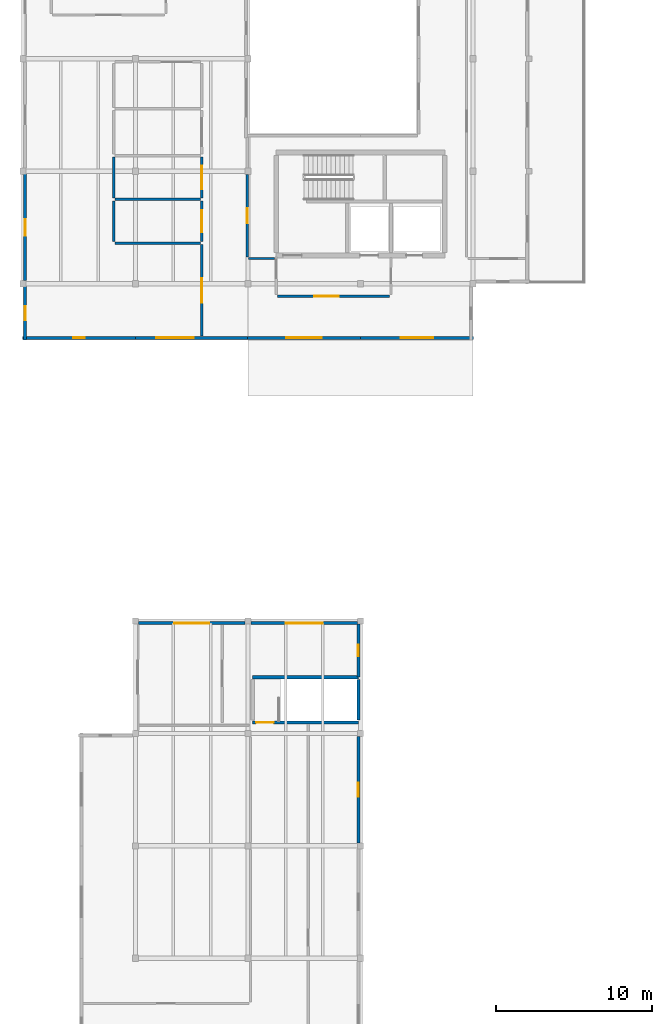
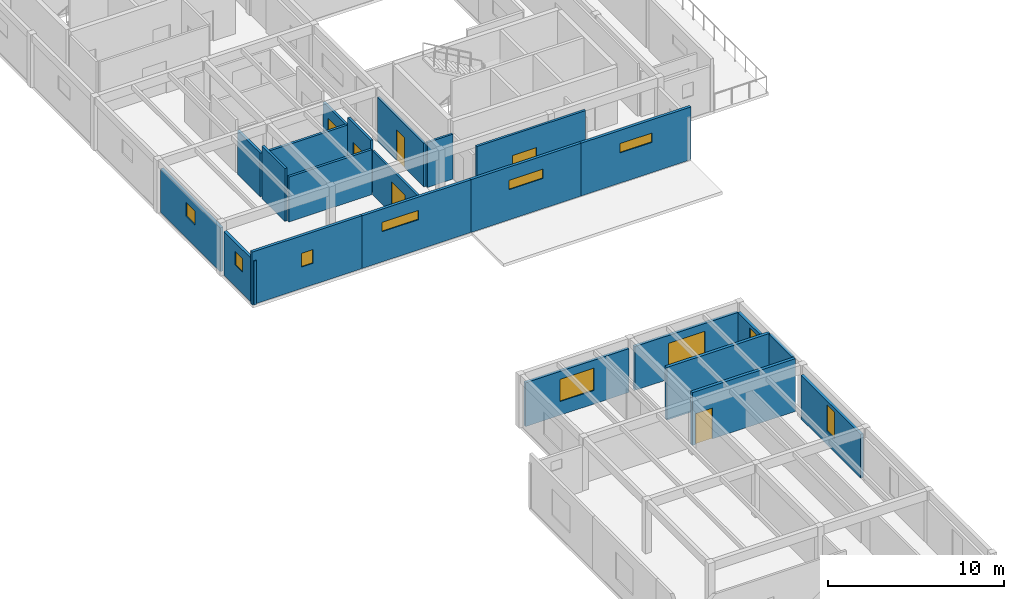
# One storey, part 3 of 12: 23 walls, 10 windows, 6 doors, 16 openings.
"""IFC4 building model written with IfcOpenShell, lengths in metres."""

from ifc_helpers import new_model, si_unit, direction, frame, frame_2d, origin, place, context, subcontext, project, spatial, rectangle, extrude, material, layer, layer_set, type_object, element, fill, save


model = new_model("IFC4")

# Units and contexts
model_context = context("Model", 3, precision=1e-05, world=origin(), true_north=direction((0.0, 1.0)))
body_context = subcontext(model_context, "Body", "Model", "MODEL_VIEW")
ifc_project = project(units=[si_unit("LENGTHUNIT", "METRE"), si_unit("AREAUNIT", "SQUARE_METRE"), si_unit("VOLUMEUNIT", "CUBIC_METRE"), si_unit("PLANEANGLEUNIT", "RADIAN"), si_unit("MASSUNIT", "GRAM", prefix="KILO")], contexts=[model_context])

# Site, building, storey
site_placement = place(None, origin())
site = spatial("IfcSite", under=ifc_project, at=site_placement, CompositionType="ELEMENT")
building_placement = place(site_placement, origin())
building = spatial("IfcBuilding", under=site, at=building_placement, Name="Bramvelor Terrace Health Centre", CompositionType="ELEMENT")
storey_placement = place(building_placement, frame((0.0, 0.0, 17.699951171875)))
storey = spatial("IfcBuildingStorey", under=building, at=storey_placement, Name="L05", CompositionType="ELEMENT", Elevation=17.699951171875)

# Wall, opening, door
ifc_material_1 = material(Name="Fire-rated gypsum and mineral wool", Category="gypsum")
ifc_layer_1 = layer(ifc_material_1, 0.139892578125)
ifc_layer_set_1 = layer_set([ifc_layer_1], Name="Fire-rated gypsum and mineral wool")
wall_type_1 = type_object("IfcWallType", Name="WL-COR-140", PredefinedType="PARTITIONING", material=ifc_layer_set_1)
wall_1_placement = place(storey_placement, frame((11.43994140625, 88.89990234375, 0.0), z_axis=(0.0, 0.0, 1.0), x_axis=(0.0, -1.0, 0.0)))
wall_1 = element("IfcWall", 1, at=wall_1_placement, inside=storey, type_object=wall_type_1, Name="L05 Interior Partition 340", PredefinedType="PARTITIONING", context=body_context, shape_type="SweptSolid", body=[
    extrude(rectangle(XDim=5.867431640625, YDim=0.139892578125, at=frame_2d((2.93359375, 0.0))), origin(), (0.0, 0.0, 1.0), 3.050048828125),
])
opening_1_placement = place(wall_1_placement, frame((2.15380859375, 0.0, 0.0)))
opening_1 = element("IfcOpeningElement", 2, at=opening_1_placement, cuts=wall_1, Name="Opening FD-03", PredefinedType="OPENING", context=body_context, shape_type="SweptSolid", body=[
    extrude(rectangle(XDim=1.56005859375, YDim=2.219970703125, at=frame_2d((0.780029296875, 1.10986328125))), frame((0.0, 0.079833984375, 0.0), z_axis=(0.0, -1.0, 0.0), x_axis=(1.0, 0.0, 0.0)), (0.0, 0.0, 1.0), 0.159912109375),
])
ifc_material_2 = material(Name="Fire-rated steel and vision panel", Category="steel")
door_type_1 = type_object("IfcDoorType", Name="DR-FD90-156", OperationType="DOUBLE_DOOR_SINGLE_SWING", PredefinedType="DOOR", material=ifc_material_2)
door_1_placement = place(opening_1_placement, origin())
door_1 = element("IfcDoor", 3, at=door_1_placement, inside=storey, type_object=door_type_1, Name="L05 Diabetes Podiatry and Retinopathy Suite Fire Door", OperationType="DOUBLE_DOOR_SINGLE_SWING", OverallHeight=2.219970703125, OverallWidth=1.56005859375, PredefinedType="DOOR", context=body_context, shape_type="SweptSolid", body=[
    extrude(rectangle(XDim=1.56005859375, YDim=2.219970703125, at=frame_2d((0.780029296875, 1.10986328125))), frame((0.0, 0.02490234375, 0.0), z_axis=(0.0, -1.0, 0.0), x_axis=(1.0, 0.0, 0.0)), (0.0, 0.0, 1.0), 0.050048828125),
])
fill(opening_1, door_1)

wall_2_placement = place(storey_placement, frame((14.35205078125, 88.10009765625, 0.0), z_axis=(0.0, 0.0, 1.0), x_axis=(0.0, 1.0, 0.0)))
wall_2 = element("IfcWall", 4, at=wall_2_placement, inside=storey, type_object=wall_type_1, Name="L05 Interior Partition 353", PredefinedType="PARTITIONING", context=body_context, shape_type="SweptSolid", body=[
    extrude(rectangle(XDim=5.284912109375, YDim=0.139892578125, at=frame_2d((2.642578125, 0.0))), origin(), (0.0, 0.0, 1.0), 3.050048828125),
])
opening_2_placement = place(wall_2_placement, frame((2.172607421875, 0.0, 0.0)))
opening_2 = element("IfcOpeningElement", 5, at=opening_2_placement, cuts=wall_2, Name="Opening FD-08", PredefinedType="OPENING", context=body_context, shape_type="SweptSolid", body=[
    extrude(rectangle(XDim=0.93994140625, YDim=2.10009765625, at=frame_2d((0.469970703125, 1.050048828125))), frame((0.0, 0.079833984375, 0.0), z_axis=(0.0, -1.0, 0.0), x_axis=(1.0, 0.0, 0.0)), (0.0, 0.0, 1.0), 0.159912109375),
])
ifc_material_3 = material(Name="Fire-rated steel and vision panel", Category="steel")
door_type_2 = type_object("IfcDoorType", Name="DR-FD60-094", OperationType="NOTDEFINED", PredefinedType="DOOR", material=ifc_material_3)
door_2_placement = place(opening_2_placement, origin())
door_2 = element("IfcDoor", 6, at=door_2_placement, inside=storey, type_object=door_type_2, Name="L05 Community Pulmonary Function Lab Fire Door", OperationType="SINGLE_SWING_RIGHT", OverallHeight=2.10009765625, OverallWidth=0.93994140625, PredefinedType="DOOR", context=body_context, shape_type="SweptSolid", body=[
    extrude(rectangle(XDim=0.93994140625, YDim=2.10009765625, at=frame_2d((0.469970703125, 1.050048828125))), frame((0.0, 0.02490234375, 0.0), z_axis=(0.0, -1.0, 0.0), x_axis=(1.0, 0.0, 0.0)), (0.0, 0.0, 1.0), 0.050048828125),
])
fill(opening_2, door_2)

# Wall
wall_3_placement = place(storey_placement, frame((16.10498046875, 88.010009765625, 0.0), z_axis=(0.0, 0.0, 1.0), x_axis=(-1.0, 0.0, 0.0)))
element("IfcWall", 7, at=wall_3_placement, inside=storey, type_object=wall_type_1, Name="L05 Interior Partition 355", PredefinedType="PARTITIONING", context=body_context, shape_type="SweptSolid", body=[
    extrude(rectangle(XDim=1.6630859375, YDim=0.139892578125, at=frame_2d((0.83154296875, 0.0))), origin(), (0.0, 0.0, 1.0), 3.130126953125),
])

# Wall, opening, door
ifc_material_4 = material(Name="Concrete C40/50", Category="concrete")
ifc_layer_2 = layer(ifc_material_4, 0.199951171875)
ifc_layer_set_2 = layer_set([ifc_layer_2], Name="Concrete C40/50")
wall_type_2 = type_object("IfcWallType", Name="WL-CORE-200", PredefinedType="SHEAR", material=ifc_layer_set_2)
wall_4_placement = place(storey_placement, frame((14.699951171875, 58.300048828125, 0.0), z_axis=(0.0, 0.0, 1.0), x_axis=(1.0, 0.0, 0.0)))
wall_4 = element("IfcWall", 8, at=wall_4_placement, inside=storey, type_object=wall_type_2, Name="ST-6 L05 Stair Shaft Wall", PredefinedType="SHEAR", context=body_context, shape_type="SweptSolid", body=[
    extrude(rectangle(XDim=6.775146484375, YDim=0.199951171875, at=frame_2d((3.3876953125, 0.0))), origin(), (0.0, 0.0, 1.0), 3.675048828125),
])
opening_3_placement = place(wall_4_placement, frame((0.219970703125, 0.0, 0.0)))
opening_3 = element("IfcOpeningElement", 9, at=opening_3_placement, cuts=wall_4, Name="Opening FD-06", PredefinedType="OPENING", context=body_context, shape_type="SweptSolid", body=[
    extrude(rectangle(XDim=1.1201171875, YDim=2.139892578125, at=frame_2d((0.56005859375, 1.06982421875))), frame((0.0, 0.10986328125, 0.0), z_axis=(0.0, -1.0, 0.0), x_axis=(1.0, 0.0, 0.0)), (0.0, 0.0, 1.0), 0.219970703125),
])
ifc_material_5 = material(Name="Fire-rated steel and vision panel", Category="steel")
door_type_3 = type_object("IfcDoorType", Name="DR-FD60-112", OperationType="NOTDEFINED", PredefinedType="DOOR", material=ifc_material_5)
door_3_placement = place(opening_3_placement, origin())
door_3 = element("IfcDoor", 10, at=door_3_placement, inside=storey, type_object=door_type_3, Name="ST-6 L05 Exit Stair Fire Door", OperationType="SINGLE_SWING_LEFT", OverallHeight=2.139892578125, OverallWidth=1.1201171875, PredefinedType="DOOR", context=body_context, shape_type="SweptSolid", body=[
    extrude(rectangle(XDim=1.1201171875, YDim=2.139892578125, at=frame_2d((0.56005859375, 1.06982421875))), frame((0.0, 0.02490234375, 0.0), z_axis=(0.0, -1.0, 0.0), x_axis=(1.0, 0.0, 0.0)), (0.0, 0.0, 1.0), 0.050048828125),
])
fill(opening_3, door_3)

# Walls
wall_5_placement = place(storey_placement, frame((14.699951171875, 61.199951171875, 0.0), z_axis=(0.0, 0.0, 1.0), x_axis=(1.0, 0.0, 0.0)))
element("IfcWall", 11, at=wall_5_placement, inside=storey, type_object=wall_type_2, Name="ST-6 L05 Stair Shaft Wall", PredefinedType="SHEAR", context=body_context, shape_type="SweptSolid", body=[
    extrude(rectangle(XDim=6.775146484375, YDim=0.199951171875, at=frame_2d((3.3876953125, 0.0))), origin(), (0.0, 0.0, 1.0), 3.675048828125),
])
wall_6_placement = place(storey_placement, frame((21.47509765625, 58.449951171875, 0.0), z_axis=(0.0, 0.0, 1.0), x_axis=(0.0, 1.0, 0.0)))
element("IfcWall", 12, at=wall_6_placement, inside=storey, type_object=wall_type_2, Name="ST-6 L05 Stair Shaft Wall", PredefinedType="SHEAR", context=body_context, shape_type="SweptSolid", body=[
    extrude(rectangle(XDim=2.60009765625, YDim=0.199951171875, at=frame_2d((1.300048828125, 0.0))), origin(), (0.0, 0.0, 1.0), 3.675048828125),
])

# Wall, opening, window
ifc_material_6 = material(Name="Cross-laminated timber C24", Category="wood")
ifc_layer_3 = layer(ifc_material_6, 0.18505859375)
ifc_layer_set_3 = layer_set([ifc_layer_3], Name="Cross-laminated timber C24")
wall_type_3 = type_object("IfcWallType", Name="WL-EXT-CLT185", PredefinedType="SOLIDWALL", material=ifc_layer_set_3)
wall_7_placement = place(storey_placement, frame((7.39501953125, 64.669921875, 0.0), z_axis=(0.0, 0.0, 1.0), x_axis=(1.0, 0.0, 0.0)))
wall_7 = element("IfcWall", 13, at=wall_7_placement, inside=storey, type_object=wall_type_3, Name="L05 Exterior Facade Wall 2", PredefinedType="SOLIDWALL", context=body_context, shape_type="SweptSolid", body=[
    extrude(rectangle(XDim=6.81005859375, YDim=0.18505859375, at=frame_2d((3.405029296875, 0.0))), origin(), (0.0, 0.0, 1.0), 3.050048828125),
])
opening_4_placement = place(wall_7_placement, frame((2.280029296875, 0.0, 0.949951171875)))
opening_4 = element("IfcOpeningElement", 14, at=opening_4_placement, cuts=wall_7, Name="Opening WN-47", PredefinedType="OPENING", context=body_context, shape_type="SweptSolid", body=[
    extrude(rectangle(XDim=2.25, YDim=1.550048828125, at=frame_2d((1.125, 0.77490234375))), frame((0.0, 0.1025390625, 0.0), z_axis=(0.0, -1.0, 0.0), x_axis=(1.0, 0.0, 0.0)), (0.0, 0.0, 1.0), 0.205078125),
])
ifc_material_7 = material(Name="Double low-E laminated glass", Category="glass")
window_type_1 = type_object("IfcWindowType", Name="WIN-EXT-47", PartitioningType="SINGLE_PANEL", PredefinedType="WINDOW", material=ifc_material_7)
window_1_placement = place(opening_4_placement, origin())
window_1 = element("IfcWindow", 15, at=window_1_placement, inside=storey, type_object=window_type_1, Name="L05 Scheduled Clinical Window 227", OverallHeight=1.550048828125, OverallWidth=2.25, PartitioningType="SINGLE_PANEL", PredefinedType="WINDOW", context=body_context, shape_type="SweptSolid", body=[
    extrude(rectangle(XDim=2.25, YDim=1.550048828125, at=frame_2d((1.125, 0.77490234375))), frame((0.0, 0.030029296875, 0.0), z_axis=(0.0, -1.0, 0.0), x_axis=(1.0, 0.0, 0.0)), (0.0, 0.0, 1.0), 0.06005859375),
])
fill(opening_4, window_1)

wall_8_placement = place(storey_placement, frame((14.594970703125, 64.669921875, 0.0), z_axis=(0.0, 0.0, 1.0), x_axis=(1.0, 0.0, 0.0)))
wall_8 = element("IfcWall", 16, at=wall_8_placement, inside=storey, type_object=wall_type_3, Name="L05 Exterior Facade Wall 3", PredefinedType="SOLIDWALL", context=body_context, shape_type="SweptSolid", body=[
    extrude(rectangle(XDim=6.81005859375, YDim=0.18505859375, at=frame_2d((3.405029296875, 0.0))), origin(), (0.0, 0.0, 1.0), 3.050048828125),
])
opening_5_placement = place(wall_8_placement, frame((2.205078125, 0.0, 0.949951171875)))
opening_5 = element("IfcOpeningElement", 17, at=opening_5_placement, cuts=wall_8, Name="Opening WN-48", PredefinedType="OPENING", context=body_context, shape_type="SweptSolid", body=[
    extrude(rectangle(XDim=2.39990234375, YDim=1.550048828125, at=frame_2d((1.199951171875, 0.77490234375))), frame((0.0, 0.1025390625, 0.0), z_axis=(0.0, -1.0, 0.0), x_axis=(1.0, 0.0, 0.0)), (0.0, 0.0, 1.0), 0.205078125),
])
ifc_material_8 = material(Name="Double low-E laminated glass", Category="glass")
window_type_2 = type_object("IfcWindowType", Name="WIN-EXT-48", PartitioningType="SINGLE_PANEL", PredefinedType="WINDOW", material=ifc_material_8)
window_2_placement = place(opening_5_placement, origin())
window_2 = element("IfcWindow", 18, at=window_2_placement, inside=storey, type_object=window_type_2, Name="L05 Scheduled Clinical Window 228", OverallHeight=1.550048828125, OverallWidth=2.39990234375, PartitioningType="SINGLE_PANEL", PredefinedType="WINDOW", context=body_context, shape_type="SweptSolid", body=[
    extrude(rectangle(XDim=2.39990234375, YDim=1.550048828125, at=frame_2d((1.199951171875, 0.77490234375))), frame((0.0, 0.030029296875, 0.0), z_axis=(0.0, -1.0, 0.0), x_axis=(1.0, 0.0, 0.0)), (0.0, 0.0, 1.0), 0.06005859375),
])
fill(opening_5, window_2)

wall_9_placement = place(storey_placement, frame((21.469970703125, 64.60498046875, 0.0), z_axis=(0.0, 0.0, 1.0), x_axis=(0.0, -1.0, 0.0)))
wall_9 = element("IfcWall", 19, at=wall_9_placement, inside=storey, type_object=wall_type_3, Name="L05 Exterior Facade Wall 4", PredefinedType="SOLIDWALL", context=body_context, shape_type="SweptSolid", body=[
    extrude(rectangle(XDim=3.405029296875, YDim=0.18505859375, at=frame_2d((1.70263671875, 0.0))), origin(), (0.0, 0.0, 1.0), 3.050048828125),
])
opening_6_placement = place(wall_9_placement, frame((1.327392578125, 0.0, 0.949951171875)))
opening_6 = element("IfcOpeningElement", 20, at=opening_6_placement, cuts=wall_9, Name="Opening WN-49", PredefinedType="OPENING", context=body_context, shape_type="SweptSolid", body=[
    extrude(rectangle(XDim=0.75, YDim=1.85009765625, at=frame_2d((0.375, 0.925048828125))), frame((0.0, 0.1025390625, 0.0), z_axis=(0.0, -1.0, 0.0), x_axis=(1.0, 0.0, 0.0)), (0.0, 0.0, 1.0), 0.205078125),
])
ifc_material_9 = material(Name="Double low-E laminated glass", Category="glass")
window_type_3 = type_object("IfcWindowType", Name="WIN-EXT-49", PartitioningType="SINGLE_PANEL", PredefinedType="WINDOW", material=ifc_material_9)
window_3_placement = place(opening_6_placement, origin())
window_3 = element("IfcWindow", 21, at=window_3_placement, inside=storey, type_object=window_type_3, Name="L05 Scheduled Clinical Window 229", OverallHeight=1.85009765625, OverallWidth=0.75, PartitioningType="SINGLE_PANEL", PredefinedType="WINDOW", context=body_context, shape_type="SweptSolid", body=[
    extrude(rectangle(XDim=0.75, YDim=1.85009765625, at=frame_2d((0.375, 0.925048828125))), frame((0.0, 0.030029296875, 0.0), z_axis=(0.0, -1.0, 0.0), x_axis=(1.0, 0.0, 0.0)), (0.0, 0.0, 1.0), 0.06005859375),
])
fill(opening_6, window_3)

wall_10_placement = place(storey_placement, frame((21.469970703125, 57.405029296875, 0.0), z_axis=(0.0, 0.0, 1.0), x_axis=(0.0, -1.0, 0.0)))
wall_10 = element("IfcWall", 22, at=wall_10_placement, inside=storey, type_object=wall_type_3, Name="L05 Exterior Facade Wall 5", PredefinedType="SOLIDWALL", context=body_context, shape_type="SweptSolid", body=[
    extrude(rectangle(XDim=6.81005859375, YDim=0.18505859375, at=frame_2d((3.405029296875, 0.0))), origin(), (0.0, 0.0, 1.0), 3.050048828125),
])
opening_7_placement = place(wall_10_placement, frame((2.955078125, 0.0, 0.949951171875)))
opening_7 = element("IfcOpeningElement", 23, at=opening_7_placement, cuts=wall_10, Name="Opening WN-50", PredefinedType="OPENING", context=body_context, shape_type="SweptSolid", body=[
    extrude(rectangle(XDim=0.89990234375, YDim=1.85009765625, at=frame_2d((0.449951171875, 0.925048828125))), frame((0.0, 0.1025390625, 0.0), z_axis=(0.0, -1.0, 0.0), x_axis=(1.0, 0.0, 0.0)), (0.0, 0.0, 1.0), 0.205078125),
])
ifc_material_10 = material(Name="Double low-E laminated glass", Category="glass")
window_type_4 = type_object("IfcWindowType", Name="WIN-EXT-50", PartitioningType="SINGLE_PANEL", PredefinedType="WINDOW", material=ifc_material_10)
window_4_placement = place(opening_7_placement, origin())
window_4 = element("IfcWindow", 24, at=window_4_placement, inside=storey, type_object=window_type_4, Name="L05 Scheduled Clinical Window 230", OverallHeight=1.85009765625, OverallWidth=0.89990234375, PartitioningType="SINGLE_PANEL", PredefinedType="WINDOW", context=body_context, shape_type="SweptSolid", body=[
    extrude(rectangle(XDim=0.89990234375, YDim=1.85009765625, at=frame_2d((0.449951171875, 0.925048828125))), frame((0.0, 0.030029296875, 0.0), z_axis=(0.0, -1.0, 0.0), x_axis=(1.0, 0.0, 0.0)), (0.0, 0.0, 1.0), 0.06005859375),
])
fill(opening_7, window_4)

wall_11_placement = place(storey_placement, frame((28.840087890625, 82.929931640625, 0.0), z_axis=(0.0, 0.0, 1.0), x_axis=(-1.0, 0.0, 0.0)))
wall_11 = element("IfcWall", 25, at=wall_11_placement, inside=storey, type_object=wall_type_3, Name="L05 Exterior Facade Wall 27", PredefinedType="SOLIDWALL", context=body_context, shape_type="SweptSolid", body=[
    extrude(rectangle(XDim=7.239990234375, YDim=0.18505859375, at=frame_2d((3.6201171875, 0.0))), origin(), (0.0, 0.0, 1.0), 3.670166015625),
])
opening_8_placement = place(wall_11_placement, frame((2.570068359375, 0.0, 2.10009765625)))
opening_8 = element("IfcOpeningElement", 26, at=opening_8_placement, cuts=wall_11, Name="Opening WN-10", PredefinedType="OPENING", context=body_context, shape_type="SweptSolid", body=[
    extrude(rectangle(XDim=2.10009765625, YDim=0.64990234375, at=frame_2d((1.050048828125, 0.324951171875))), frame((0.0, 0.1025390625, 0.0), z_axis=(0.0, -1.0, 0.0), x_axis=(1.0, 0.0, 0.0)), (0.0, 0.0, 1.0), 0.205078125),
])
ifc_material_11 = material(Name="Double low-E laminated glass", Category="glass")
window_type_5 = type_object("IfcWindowType", Name="WIN-EXT-10", PartitioningType="SINGLE_PANEL", PredefinedType="WINDOW", material=ifc_material_11)
window_5_placement = place(opening_8_placement, origin())
window_5 = element("IfcWindow", 27, at=window_5_placement, inside=storey, type_object=window_type_5, Name="L05 Scheduled Clinical Window 250", OverallHeight=0.64990234375, OverallWidth=2.10009765625, PartitioningType="SINGLE_PANEL", PredefinedType="WINDOW", context=body_context, shape_type="SweptSolid", body=[
    extrude(rectangle(XDim=2.10009765625, YDim=0.64990234375, at=frame_2d((1.050048828125, 0.324951171875))), frame((0.0, 0.030029296875, 0.0), z_axis=(0.0, -1.0, 0.0), x_axis=(1.0, 0.0, 0.0)), (0.0, 0.0, 1.0), 0.06005859375),
])
fill(opening_8, window_5)

wall_12_placement = place(storey_placement, frame((21.60009765625, 82.929931640625, 0.0), z_axis=(0.0, 0.0, 1.0), x_axis=(-1.0, 0.0, 0.0)))
wall_12 = element("IfcWall", 28, at=wall_12_placement, inside=storey, type_object=wall_type_3, Name="L05 Exterior Facade Wall 28", PredefinedType="SOLIDWALL", context=body_context, shape_type="SweptSolid", body=[
    extrude(rectangle(XDim=7.239990234375, YDim=0.18505859375, at=frame_2d((3.6201171875, 0.0))), origin(), (0.0, 0.0, 1.0), 3.670166015625),
])
opening_9_placement = place(wall_12_placement, frame((2.4951171875, 0.0, 2.10009765625)))
opening_9 = element("IfcOpeningElement", 29, at=opening_9_placement, cuts=wall_12, Name="Opening WN-11", PredefinedType="OPENING", context=body_context, shape_type="SweptSolid", body=[
    extrude(rectangle(XDim=2.25, YDim=0.64990234375, at=frame_2d((1.125, 0.324951171875))), frame((0.0, 0.1025390625, 0.0), z_axis=(0.0, -1.0, 0.0), x_axis=(1.0, 0.0, 0.0)), (0.0, 0.0, 1.0), 0.205078125),
])
ifc_material_12 = material(Name="Double low-E laminated glass", Category="glass")
window_type_6 = type_object("IfcWindowType", Name="WIN-EXT-11", PartitioningType="SINGLE_PANEL", PredefinedType="WINDOW", material=ifc_material_12)
window_6_placement = place(opening_9_placement, origin())
window_6 = element("IfcWindow", 30, at=window_6_placement, inside=storey, type_object=window_type_6, Name="L05 Scheduled Clinical Window 251", OverallHeight=0.64990234375, OverallWidth=2.25, PartitioningType="SINGLE_PANEL", PredefinedType="WINDOW", context=body_context, shape_type="SweptSolid", body=[
    extrude(rectangle(XDim=2.25, YDim=0.64990234375, at=frame_2d((1.125, 0.324951171875))), frame((0.0, 0.030029296875, 0.0), z_axis=(0.0, -1.0, 0.0), x_axis=(1.0, 0.0, 0.0)), (0.0, 0.0, 1.0), 0.06005859375),
])
fill(opening_9, window_6)

wall_13_placement = place(storey_placement, frame((14.43994140625, 82.929931640625, 0.0), z_axis=(0.0, 0.0, 1.0), x_axis=(-1.0, 0.0, 0.0)))
wall_13 = element("IfcWall", 31, at=wall_13_placement, inside=storey, type_object=wall_type_3, Name="L05 Exterior Facade Wall 29", PredefinedType="SOLIDWALL", context=body_context, shape_type="SweptSolid", body=[
    extrude(rectangle(XDim=7.239990234375, YDim=0.18505859375, at=frame_2d((3.6201171875, 0.0))), origin(), (0.0, 0.0, 1.0), 3.670166015625),
])
opening_10_placement = place(wall_13_placement, frame((3.52001953125, 0.0, 2.10009765625)))
opening_10 = element("IfcOpeningElement", 32, at=opening_10_placement, cuts=wall_13, Name="Opening WN-12", PredefinedType="OPENING", context=body_context, shape_type="SweptSolid", body=[
    extrude(rectangle(XDim=2.39990234375, YDim=0.64990234375, at=frame_2d((1.199951171875, 0.324951171875))), frame((0.0, 0.1025390625, 0.0), z_axis=(0.0, -1.0, 0.0), x_axis=(1.0, 0.0, 0.0)), (0.0, 0.0, 1.0), 0.205078125),
])
ifc_material_13 = material(Name="Double low-E laminated glass", Category="glass")
window_type_7 = type_object("IfcWindowType", Name="WIN-EXT-12", PartitioningType="SINGLE_PANEL", PredefinedType="WINDOW", material=ifc_material_13)
window_7_placement = place(opening_10_placement, origin())
window_7 = element("IfcWindow", 33, at=window_7_placement, inside=storey, type_object=window_type_7, Name="L05 Scheduled Clinical Window 252", OverallHeight=0.64990234375, OverallWidth=2.39990234375, PartitioningType="SINGLE_PANEL", PredefinedType="WINDOW", context=body_context, shape_type="SweptSolid", body=[
    extrude(rectangle(XDim=2.39990234375, YDim=0.64990234375, at=frame_2d((1.199951171875, 0.324951171875))), frame((0.0, 0.030029296875, 0.0), z_axis=(0.0, -1.0, 0.0), x_axis=(1.0, 0.0, 0.0)), (0.0, 0.0, 1.0), 0.06005859375),
])
fill(opening_10, window_7)

wall_14_placement = place(storey_placement, frame((7.199951171875, 82.929931640625, 0.0), z_axis=(0.0, 0.0, 1.0), x_axis=(-1.0, 0.0, 0.0)))
wall_14 = element("IfcWall", 34, at=wall_14_placement, inside=storey, type_object=wall_type_3, Name="L05 Exterior Facade Wall 30", PredefinedType="SOLIDWALL", context=body_context, shape_type="SweptSolid", body=[
    extrude(rectangle(XDim=7.239990234375, YDim=0.18505859375, at=frame_2d((3.6201171875, 0.0))), origin(), (0.0, 0.0, 1.0), 3.670166015625),
])
opening_11_placement = place(wall_14_placement, frame((3.2451171875, 0.0, 1.5)))
opening_11 = element("IfcOpeningElement", 35, at=opening_11_placement, cuts=wall_14, Name="Opening WN-13", PredefinedType="OPENING", context=body_context, shape_type="SweptSolid", body=[
    extrude(rectangle(XDim=0.75, YDim=0.949951171875, at=frame_2d((0.375, 0.47509765625))), frame((0.0, 0.1025390625, 0.0), z_axis=(0.0, -1.0, 0.0), x_axis=(1.0, 0.0, 0.0)), (0.0, 0.0, 1.0), 0.205078125),
])
ifc_material_14 = material(Name="Double low-E laminated glass", Category="glass")
window_type_8 = type_object("IfcWindowType", Name="WIN-EXT-13", PartitioningType="SINGLE_PANEL", PredefinedType="WINDOW", material=ifc_material_14)
window_8_placement = place(opening_11_placement, origin())
window_8 = element("IfcWindow", 36, at=window_8_placement, inside=storey, type_object=window_type_8, Name="L05 Scheduled Clinical Window 253", OverallHeight=0.949951171875, OverallWidth=0.75, PartitioningType="SINGLE_PANEL", PredefinedType="WINDOW", context=body_context, shape_type="SweptSolid", body=[
    extrude(rectangle(XDim=0.75, YDim=0.949951171875, at=frame_2d((0.375, 0.47509765625))), frame((0.0, 0.030029296875, 0.0), z_axis=(0.0, -1.0, 0.0), x_axis=(1.0, 0.0, 0.0)), (0.0, 0.0, 1.0), 0.06005859375),
])
fill(opening_11, window_8)

wall_15_placement = place(storey_placement, frame((0.1298828125, 82.780029296875, 0.0), z_axis=(0.0, 0.0, 1.0), x_axis=(0.0, 1.0, 0.0)))
wall_15 = element("IfcWall", 37, at=wall_15_placement, inside=storey, type_object=wall_type_3, Name="L05 Exterior Facade Wall 31", PredefinedType="SOLIDWALL", context=body_context, shape_type="SweptSolid", body=[
    extrude(rectangle(XDim=3.425048828125, YDim=0.18505859375, at=frame_2d((1.71240234375, 0.0))), origin(), (0.0, 0.0, 1.0), 3.050048828125),
])
opening_12_placement = place(wall_15_placement, frame((1.262451171875, 0.0, 1.5)))
opening_12 = element("IfcOpeningElement", 38, at=opening_12_placement, cuts=wall_15, Name="Opening WN-14", PredefinedType="OPENING", context=body_context, shape_type="SweptSolid", body=[
    extrude(rectangle(XDim=0.89990234375, YDim=0.949951171875, at=frame_2d((0.449951171875, 0.47509765625))), frame((0.0, 0.1025390625, 0.0), z_axis=(0.0, -1.0, 0.0), x_axis=(1.0, 0.0, 0.0)), (0.0, 0.0, 1.0), 0.205078125),
])
ifc_material_15 = material(Name="Double low-E laminated glass", Category="glass")
window_type_9 = type_object("IfcWindowType", Name="WIN-EXT-14", PartitioningType="SINGLE_PANEL", PredefinedType="WINDOW", material=ifc_material_15)
window_9_placement = place(opening_12_placement, origin())
window_9 = element("IfcWindow", 39, at=window_9_placement, inside=storey, type_object=window_type_9, Name="L05 Scheduled Clinical Window 254", OverallHeight=0.949951171875, OverallWidth=0.89990234375, PartitioningType="SINGLE_PANEL", PredefinedType="WINDOW", context=body_context, shape_type="SweptSolid", body=[
    extrude(rectangle(XDim=0.89990234375, YDim=0.949951171875, at=frame_2d((0.449951171875, 0.47509765625))), frame((0.0, 0.030029296875, 0.0), z_axis=(0.0, -1.0, 0.0), x_axis=(1.0, 0.0, 0.0)), (0.0, 0.0, 1.0), 0.06005859375),
])
fill(opening_12, window_9)

wall_16_placement = place(storey_placement, frame((0.1298828125, 86.594970703125, 0.0), z_axis=(0.0, 0.0, 1.0), x_axis=(0.0, 1.0, 0.0)))
wall_16 = element("IfcWall", 40, at=wall_16_placement, inside=storey, type_object=wall_type_3, Name="L05 Exterior Facade Wall 32", PredefinedType="SOLIDWALL", context=body_context, shape_type="SweptSolid", body=[
    extrude(rectangle(XDim=6.81005859375, YDim=0.18505859375, at=frame_2d((3.405029296875, 0.0))), origin(), (0.0, 0.0, 1.0), 3.050048828125),
])
opening_13_placement = place(wall_16_placement, frame((2.8798828125, 0.0, 1.5)))
opening_13 = element("IfcOpeningElement", 41, at=opening_13_placement, cuts=wall_16, Name="Opening WN-15", PredefinedType="OPENING", context=body_context, shape_type="SweptSolid", body=[
    extrude(rectangle(XDim=1.050048828125, YDim=0.949951171875, at=frame_2d((0.52490234375, 0.47509765625))), frame((0.0, 0.1025390625, 0.0), z_axis=(0.0, -1.0, 0.0), x_axis=(1.0, 0.0, 0.0)), (0.0, 0.0, 1.0), 0.205078125),
])
ifc_material_16 = material(Name="Double low-E laminated glass", Category="glass")
window_type_10 = type_object("IfcWindowType", Name="WIN-EXT-15", PartitioningType="SINGLE_PANEL", PredefinedType="WINDOW", material=ifc_material_16)
window_10_placement = place(opening_13_placement, origin())
window_10 = element("IfcWindow", 42, at=window_10_placement, inside=storey, type_object=window_type_10, Name="L05 Scheduled Clinical Window 255", OverallHeight=0.949951171875, OverallWidth=1.050048828125, PartitioningType="SINGLE_PANEL", PredefinedType="WINDOW", context=body_context, shape_type="SweptSolid", body=[
    extrude(rectangle(XDim=1.050048828125, YDim=0.949951171875, at=frame_2d((0.52490234375, 0.47509765625))), frame((0.0, 0.030029296875, 0.0), z_axis=(0.0, -1.0, 0.0), x_axis=(1.0, 0.0, 0.0)), (0.0, 0.0, 1.0), 0.06005859375),
])
fill(opening_13, window_10)

# Wall, opening, door
ifc_material_17 = material(Name="Fire-rated gypsum and mineral wool", Category="gypsum")
ifc_layer_4 = layer(ifc_material_17, 0.14990234375)
ifc_layer_set_4 = layer_set([ifc_layer_4], Name="Fire-rated gypsum and mineral wool")
wall_type_4 = type_object("IfcWallType", Name="WL-FIR-150", PredefinedType="PARTITIONING", material=ifc_layer_set_4)
wall_17_placement = place(storey_placement, frame((23.4599609375, 85.60009765625, 0.0), z_axis=(0.0, 0.0, 1.0), x_axis=(-1.0, 0.0, 0.0)))
wall_17 = element("IfcWall", 43, at=wall_17_placement, inside=storey, type_object=wall_type_4, Name="L05 Interior Partition 325", PredefinedType="PARTITIONING", context=body_context, shape_type="SweptSolid", body=[
    extrude(rectangle(XDim=7.169921875, YDim=0.14990234375, at=frame_2d((3.5849609375, 0.0))), origin(), (0.0, 0.0, 1.0), 3.670166015625),
])
opening_14_placement = place(wall_17_placement, frame((3.2548828125, 0.0, 0.0)))
opening_14 = element("IfcOpeningElement", 44, at=opening_14_placement, cuts=wall_17, Name="Opening FD-03", PredefinedType="OPENING", context=body_context, shape_type="SweptSolid", body=[
    extrude(rectangle(XDim=1.56005859375, YDim=2.219970703125, at=frame_2d((0.780029296875, 1.10986328125))), frame((0.0, 0.0849609375, 0.0), z_axis=(0.0, -1.0, 0.0), x_axis=(1.0, 0.0, 0.0)), (0.0, 0.0, 1.0), 0.169921875),
])
door_4_placement = place(opening_14_placement, origin())
door_4 = element("IfcDoor", 45, at=door_4_placement, inside=storey, type_object=door_type_1, Name="L05 Fire Compartment Lobby Door 136", OperationType="DOUBLE_DOOR_SINGLE_SWING", OverallHeight=2.219970703125, OverallWidth=1.56005859375, PredefinedType="DOOR", context=body_context, shape_type="SweptSolid", body=[
    extrude(rectangle(XDim=1.56005859375, YDim=2.219970703125, at=frame_2d((0.780029296875, 1.10986328125))), frame((0.0, 0.02490234375, 0.0), z_axis=(0.0, -1.0, 0.0), x_axis=(1.0, 0.0, 0.0)), (0.0, 0.0, 1.0), 0.050048828125),
])
fill(opening_14, door_4)

ifc_material_18 = material(Name="Moisture-resistant service chase board", Category="gypsum")
ifc_layer_5 = layer(ifc_material_18, 0.159912109375)
ifc_layer_set_5 = layer_set([ifc_layer_5], Name="Moisture-resistant service chase board")
wall_type_5 = type_object("IfcWallType", Name="WL-PLM-160", PredefinedType="PLUMBINGWALL", material=ifc_layer_set_5)
wall_18_placement = place(storey_placement, frame((11.43994140625, 94.5, 0.0), z_axis=(0.0, 0.0, 1.0), x_axis=(0.0, -1.0, 0.0)))
wall_18 = element("IfcWall", 46, at=wall_18_placement, inside=storey, type_object=wall_type_5, Name="L05 Interior Partition 334", PredefinedType="PLUMBINGWALL", context=body_context, shape_type="SweptSolid", body=[
    extrude(rectangle(XDim=2.610107421875, YDim=0.159912109375, at=frame_2d((1.30517578125, 0.0))), origin(), (0.0, 0.0, 1.0), 3.050048828125),
])
opening_15_placement = place(wall_18_placement, frame((0.544921875, 0.0, 0.0)))
opening_15 = element("IfcOpeningElement", 47, at=opening_15_placement, cuts=wall_18, Name="Opening ID-DB3", PredefinedType="OPENING", context=body_context, shape_type="SweptSolid", body=[
    extrude(rectangle(XDim=1.52001953125, YDim=2.260009765625, at=frame_2d((0.760009765625, 1.1298828125))), frame((0.0, 0.08984375, 0.0), z_axis=(0.0, -1.0, 0.0), x_axis=(1.0, 0.0, 0.0)), (0.0, 0.0, 1.0), 0.179931640625),
])
ifc_material_19 = material(Name="Solid-core acoustic timber laminate", Category="wood")
door_type_4 = type_object("IfcDoorType", Name="DR-DBL-152", OperationType="DOUBLE_DOOR_SINGLE_SWING", PredefinedType="DOOR", material=ifc_material_19)
door_5_placement = place(opening_15_placement, origin())
door_5 = element("IfcDoor", 48, at=door_5_placement, inside=storey, type_object=door_type_4, Name="L05 Public Male WC Clinical Door", OperationType="DOUBLE_DOOR_SINGLE_SWING", OverallHeight=2.260009765625, OverallWidth=1.52001953125, PredefinedType="DOOR", context=body_context, shape_type="SweptSolid", body=[
    extrude(rectangle(XDim=1.52001953125, YDim=2.260009765625, at=frame_2d((0.760009765625, 1.1298828125))), frame((0.0, 0.02490234375, 0.0), z_axis=(0.0, -1.0, 0.0), x_axis=(1.0, 0.0, 0.0)), (0.0, 0.0, 1.0), 0.050048828125),
])
fill(opening_15, door_5)

# Walls
wall_19_placement = place(storey_placement, frame((11.35009765625, 91.800048828125, 0.0), z_axis=(0.0, 0.0, 1.0), x_axis=(-1.0, 0.0, 0.0)))
element("IfcWall", 49, at=wall_19_placement, inside=storey, type_object=wall_type_5, Name="L05 Interior Partition 335", PredefinedType="PLUMBINGWALL", context=body_context, shape_type="SweptSolid", body=[
    extrude(rectangle(XDim=5.460205078125, YDim=0.159912109375, at=frame_2d((2.72998046875, 0.0))), origin(), (0.0, 0.0, 1.0), 3.130126953125),
])
wall_20_placement = place(storey_placement, frame((5.800048828125, 91.889892578125, 0.0), z_axis=(0.0, 0.0, 1.0), x_axis=(0.0, 1.0, 0.0)))
element("IfcWall", 50, at=wall_20_placement, inside=storey, type_object=wall_type_5, Name="L05 Interior Partition 336", PredefinedType="PLUMBINGWALL", context=body_context, shape_type="SweptSolid", body=[
    extrude(rectangle(XDim=2.610107421875, YDim=0.159912109375, at=frame_2d((1.30517578125, 0.0))), origin(), (0.0, 0.0, 1.0), 3.050048828125),
])

# Wall, opening, door
wall_21_placement = place(storey_placement, frame((11.43994140625, 91.699951171875, 0.0), z_axis=(0.0, 0.0, 1.0), x_axis=(0.0, -1.0, 0.0)))
wall_21 = element("IfcWall", 51, at=wall_21_placement, inside=storey, type_object=wall_type_5, Name="L05 Interior Partition 337", PredefinedType="PLUMBINGWALL", context=body_context, shape_type="SweptSolid", body=[
    extrude(rectangle(XDim=2.60986328125, YDim=0.159912109375, at=frame_2d((1.304931640625, 0.0))), origin(), (0.0, 0.0, 1.0), 3.670166015625),
])
opening_16_placement = place(wall_21_placement, frame((0.614990234375, 0.0, 0.0)))
opening_16 = element("IfcOpeningElement", 52, at=opening_16_placement, cuts=wall_21, Name="Opening ID-C01", PredefinedType="OPENING", context=body_context, shape_type="SweptSolid", body=[
    extrude(rectangle(XDim=1.3798828125, YDim=2.320068359375, at=frame_2d((0.68994140625, 1.16015625))), frame((0.0, 0.08984375, 0.0), z_axis=(0.0, -1.0, 0.0), x_axis=(1.0, 0.0, 0.0)), (0.0, 0.0, 1.0), 0.179931640625),
])
ifc_material_20 = material(Name="Solid-core acoustic timber laminate", Category="wood")
door_type_5 = type_object("IfcDoorType", Name="DR-CLN-01", OperationType="NOTDEFINED", PredefinedType="DOOR", material=ifc_material_20)
door_6_placement = place(opening_16_placement, origin())
door_6 = element("IfcDoor", 53, at=door_6_placement, inside=storey, type_object=door_type_5, Name="L05 Public Female WC Clinical Door", OperationType="SINGLE_SWING_LEFT", OverallHeight=2.320068359375, OverallWidth=1.3798828125, PredefinedType="DOOR", context=body_context, shape_type="SweptSolid", body=[
    extrude(rectangle(XDim=1.3798828125, YDim=2.320068359375, at=frame_2d((0.68994140625, 1.16015625))), frame((0.0, 0.02490234375, 0.0), z_axis=(0.0, -1.0, 0.0), x_axis=(1.0, 0.0, 0.0)), (0.0, 0.0, 1.0), 0.050048828125),
])
fill(opening_16, door_6)

# Walls
wall_22_placement = place(storey_placement, frame((11.35009765625, 89.0, 0.0), z_axis=(0.0, 0.0, 1.0), x_axis=(-1.0, 0.0, 0.0)))
element("IfcWall", 54, at=wall_22_placement, inside=storey, type_object=wall_type_5, Name="L05 Interior Partition 338", PredefinedType="PLUMBINGWALL", context=body_context, shape_type="SweptSolid", body=[
    extrude(rectangle(XDim=5.460205078125, YDim=0.159912109375, at=frame_2d((2.72998046875, 0.0))), origin(), (0.0, 0.0, 1.0), 3.130126953125),
])
wall_23_placement = place(storey_placement, frame((5.800048828125, 89.090087890625, 0.0), z_axis=(0.0, 0.0, 1.0), x_axis=(0.0, 1.0, 0.0)))
element("IfcWall", 55, at=wall_23_placement, inside=storey, type_object=wall_type_5, Name="L05 Interior Partition 339", PredefinedType="PLUMBINGWALL", context=body_context, shape_type="SweptSolid", body=[
    extrude(rectangle(XDim=2.60986328125, YDim=0.159912109375, at=frame_2d((1.304931640625, 0.0))), origin(), (0.0, 0.0, 1.0), 3.670166015625),
])

save(model, "model.ifc")
